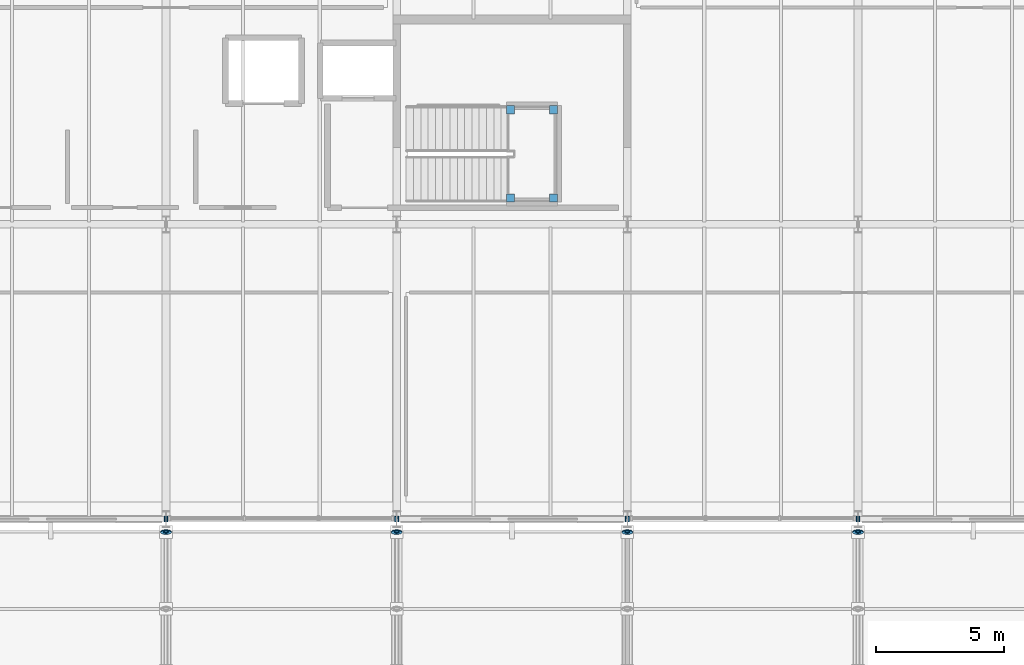
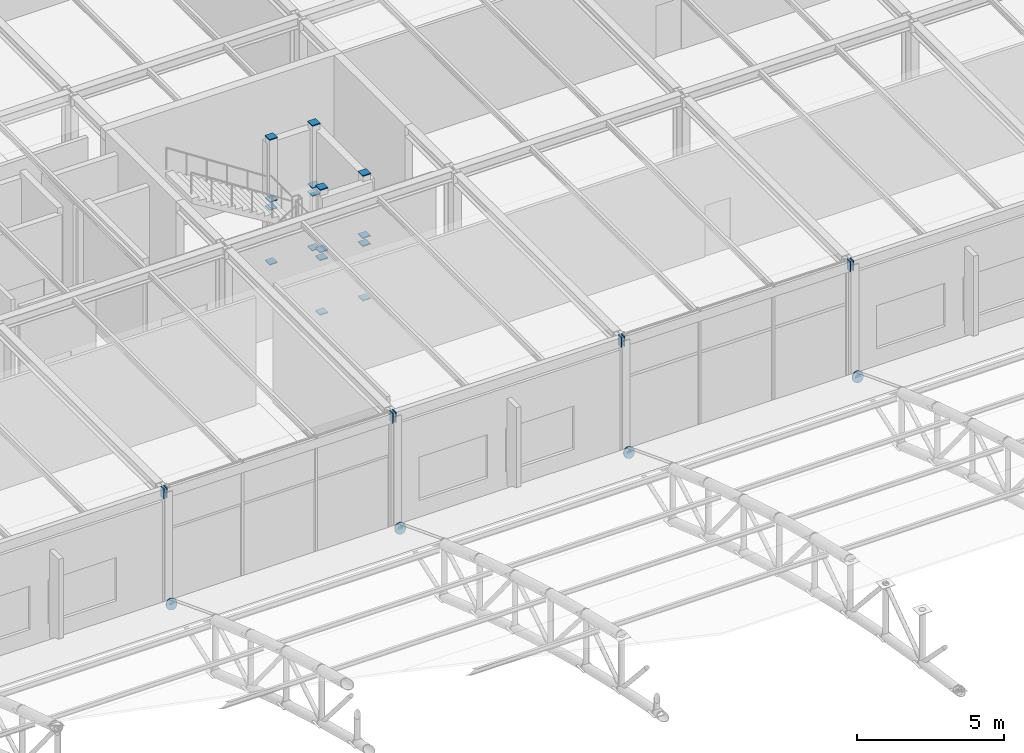
# One storey, part 139 of 195: 32 discrete accessories.
"""IFC4 building model written with IfcOpenShell, lengths in metres."""

from ifc_helpers import new_model, si_unit, direction, frame, origin, origin_2d, place, context, subcontext, project, spatial, rectangle, circle, extrude, material, element, save


model = new_model("IFC4")

# Units and contexts
model_context = context("Model", 3, precision=1e-05, world=origin(), true_north=direction((0.0, 1.0)))
body_context = subcontext(model_context, "Body", "Model", "MODEL_VIEW")
ifc_project = project(units=[si_unit("LENGTHUNIT", "METRE"), si_unit("AREAUNIT", "SQUARE_METRE"), si_unit("VOLUMEUNIT", "CUBIC_METRE"), si_unit("PLANEANGLEUNIT", "RADIAN"), si_unit("MASSUNIT", "GRAM", prefix="KILO")], contexts=[model_context])

# Site, building, storey
site_placement = place(None, origin())
site = spatial("IfcSite", under=ifc_project, at=site_placement, CompositionType="ELEMENT")
building_placement = place(site_placement, origin())
building = spatial("IfcBuilding", under=site, at=building_placement, Name="Marlcrest Central Station", CompositionType="ELEMENT")
storey_placement = place(building_placement, frame((0.0, 0.0, 9.800048828125)))
storey = spatial("IfcBuildingStorey", under=building, at=storey_placement, Name="L02", CompositionType="ELEMENT", Elevation=9.800048828125)

# Discrete accessories
ifc_material = material(Name="Steel S355", Category="steel")
for number, where, z_axis, x_axis, name in (
    (1, (35.925048828125, 99.0, 4.800048828125), (1.0, 0.0, 0.0), (0.0, 1.0, 0.0), "endcap-bm-SP-01-L02-00351-e"),
    (2, (36.03515625, 99.0, 4.800048828125), (1.0, 0.0, 0.0), (0.0, 1.0, 0.0), "endcap-bm-SP-01-L02-00352-s"),
    (3, (44.925048828125, 99.0, 4.800048828125), (1.0, 0.0, 0.0), (0.0, 1.0, 0.0), "endcap-bm-SP-01-L02-00352-e"),
    (4, (45.03515625, 99.0, 4.800048828125), (1.0, 0.0, 0.0), (0.0, 1.0, 0.0), "endcap-bm-SP-01-L02-00353-s"),
    (5, (53.925048828125, 99.0, 4.800048828125), (1.0, 0.0, 0.0), (0.0, 1.0, 0.0), "endcap-bm-SP-01-L02-00353-e"),
    (6, (54.03515625, 99.0, 4.800048828125), (1.0, 0.0, 0.0), (0.0, 1.0, 0.0), "endcap-bm-SP-01-L02-00354-s"),
    (7, (62.925048828125, 99.0, 4.800048828125), (1.0, 0.0, 0.0), (0.0, 1.0, 0.0), "endcap-bm-SP-01-L02-00354-e"),
    (8, (63.03515625, 99.0, 4.800048828125), (1.0, 0.0, 0.0), (0.0, 1.0, 0.0), "endcap-bm-SP-01-L02-00355-s"),
):
    element("IfcDiscreteAccessory", number, at=place(storey_placement, frame(where, z_axis=z_axis, x_axis=x_axis)), inside=storey, material=ifc_material, Name=name, ObjectType="END_CAP_PLATE", PredefinedType="BRACKET", context=body_context, shape_type="SweptSolid", body=[
        extrude(rectangle(XDim=0.216064453125, YDim=0.416015625, at=origin_2d()), origin(), (0.0, 0.0, 1.0), 0.0400390625),
    ])
discrete_accessory_1_placement = place(storey_placement, frame((36.0, 98.4765625, 0.454833984375), z_axis=(0.0, 0.933324071143, -0.359035065453), x_axis=(-1.0, 0.0, 0.0)))
element("IfcDiscreteAccessory", 9, at=discrete_accessory_1_placement, inside=storey, material=ifc_material, Name="endcap-mem-AC-01-L02-00623-e", ObjectType="END_CAP_PLATE", PredefinedType="BRACKET", context=body_context, shape_type="SweptSolid", body=[
    extrude(circle(Radius=0.211181640625, at=origin_2d()), origin(), (0.0, 0.0, 1.0), 0.0400390625),
])
discrete_accessory_2_placement = place(storey_placement, frame((36.0, 98.476318359375, 0.4375), z_axis=(0.0, 0.944260188635, 0.329200085296), x_axis=(-1.0, 0.0, 0.0)))
element("IfcDiscreteAccessory", 10, at=discrete_accessory_2_placement, inside=storey, material=ifc_material, Name="endcap-mem-AD-01-L02-00625-e", ObjectType="END_CAP_PLATE", PredefinedType="BRACKET", context=body_context, shape_type="SweptSolid", body=[
    extrude(circle(Radius=0.092041015625, at=origin_2d()), origin(), (0.0, 0.0, 1.0), 0.0400390625),
])
discrete_accessory_3_placement = place(storey_placement, frame((45.0, 98.4765625, 0.454833984375), z_axis=(0.0, 0.933324071143, -0.359035065453), x_axis=(-1.0, 0.0, 0.0)))
element("IfcDiscreteAccessory", 11, at=discrete_accessory_3_placement, inside=storey, material=ifc_material, Name="endcap-mem-AC-01-L02-00739-e", ObjectType="END_CAP_PLATE", PredefinedType="BRACKET", context=body_context, shape_type="SweptSolid", body=[
    extrude(circle(Radius=0.211181640625, at=origin_2d()), origin(), (0.0, 0.0, 1.0), 0.0400390625),
])
discrete_accessory_4_placement = place(storey_placement, frame((45.0, 98.476318359375, 0.4375), z_axis=(0.0, 0.944260188635, 0.329200085296), x_axis=(-1.0, 0.0, 0.0)))
element("IfcDiscreteAccessory", 12, at=discrete_accessory_4_placement, inside=storey, material=ifc_material, Name="endcap-mem-AD-01-L02-00741-e", ObjectType="END_CAP_PLATE", PredefinedType="BRACKET", context=body_context, shape_type="SweptSolid", body=[
    extrude(circle(Radius=0.092041015625, at=origin_2d()), origin(), (0.0, 0.0, 1.0), 0.0400390625),
])
discrete_accessory_5_placement = place(storey_placement, frame((54.0, 98.4765625, 0.454833984375), z_axis=(0.0, 0.933324071143, -0.359035065453), x_axis=(-1.0, 0.0, 0.0)))
element("IfcDiscreteAccessory", 13, at=discrete_accessory_5_placement, inside=storey, material=ifc_material, Name="endcap-mem-AC-01-L02-00855-e", ObjectType="END_CAP_PLATE", PredefinedType="BRACKET", context=body_context, shape_type="SweptSolid", body=[
    extrude(circle(Radius=0.211181640625, at=origin_2d()), origin(), (0.0, 0.0, 1.0), 0.0400390625),
])
discrete_accessory_6_placement = place(storey_placement, frame((54.0, 98.476318359375, 0.4375), z_axis=(0.0, 0.944260188635, 0.329200085296), x_axis=(-1.0, 0.0, 0.0)))
element("IfcDiscreteAccessory", 14, at=discrete_accessory_6_placement, inside=storey, material=ifc_material, Name="endcap-mem-AD-01-L02-00857-e", ObjectType="END_CAP_PLATE", PredefinedType="BRACKET", context=body_context, shape_type="SweptSolid", body=[
    extrude(circle(Radius=0.092041015625, at=origin_2d()), origin(), (0.0, 0.0, 1.0), 0.0400390625),
])
discrete_accessory_7_placement = place(storey_placement, frame((63.0, 98.4765625, 0.454833984375), z_axis=(0.0, 0.933324071143, -0.359035065453), x_axis=(-1.0, 0.0, 0.0)))
element("IfcDiscreteAccessory", 15, at=discrete_accessory_7_placement, inside=storey, material=ifc_material, Name="endcap-mem-AC-01-L02-00971-e", ObjectType="END_CAP_PLATE", PredefinedType="BRACKET", context=body_context, shape_type="SweptSolid", body=[
    extrude(circle(Radius=0.211181640625, at=origin_2d()), origin(), (0.0, 0.0, 1.0), 0.0400390625),
])
discrete_accessory_8_placement = place(storey_placement, frame((63.0, 98.476318359375, 0.4375), z_axis=(0.0, 0.944260188635, 0.329200085296), x_axis=(-1.0, 0.0, 0.0)))
element("IfcDiscreteAccessory", 16, at=discrete_accessory_8_placement, inside=storey, material=ifc_material, Name="endcap-mem-AD-01-L02-00973-e", ObjectType="END_CAP_PLATE", PredefinedType="BRACKET", context=body_context, shape_type="SweptSolid", body=[
    extrude(circle(Radius=0.092041015625, at=origin_2d()), origin(), (0.0, 0.0, 1.0), 0.0400390625),
])
for number, where, z_axis, x_axis, name in (
    (17, (49.43994140625, 111.530029296875, -0.014892578125), (0.0, 0.0, 1.0), (1.0, 0.0, 0.0), "endcap-htcol-lo-0049-0-s"),
    (18, (49.43994140625, 111.530029296875, 2.255126953125), (0.0, 0.0, 1.0), (1.0, 0.0, 0.0), "endcap-htcol-lo-0049-0-e"),
    (19, (49.43994140625, 111.530029296875, 2.5849609375), (0.0, 0.0, 1.0), (1.0, 0.0, 0.0), "endcap-htcol-hi-0049-0-s"),
    (20, (49.43994140625, 111.530029296875, 5.175048828125), (0.0, 0.0, 1.0), (1.0, 0.0, 0.0), "endcap-htcol-hi-0049-0-e"),
    (21, (51.1201171875, 111.530029296875, -0.014892578125), (0.0, 0.0, 1.0), (1.0, 0.0, 0.0), "endcap-htcol-lo-0049-1-s"),
    (22, (51.1201171875, 111.530029296875, 2.255126953125), (0.0, 0.0, 1.0), (1.0, 0.0, 0.0), "endcap-htcol-lo-0049-1-e"),
    (23, (51.1201171875, 111.530029296875, 2.5849609375), (0.0, 0.0, 1.0), (1.0, 0.0, 0.0), "endcap-htcol-hi-0049-1-s"),
    (24, (51.1201171875, 111.530029296875, 5.175048828125), (0.0, 0.0, 1.0), (1.0, 0.0, 0.0), "endcap-htcol-hi-0049-1-e"),
    (25, (51.1201171875, 114.969970703125, -0.014892578125), (0.0, 0.0, 1.0), (1.0, 0.0, 0.0), "endcap-htcol-lo-0049-2-s"),
    (26, (51.1201171875, 114.969970703125, 2.255126953125), (0.0, 0.0, 1.0), (1.0, 0.0, 0.0), "endcap-htcol-lo-0049-2-e"),
    (27, (51.1201171875, 114.969970703125, 2.5849609375), (0.0, 0.0, 1.0), (1.0, 0.0, 0.0), "endcap-htcol-hi-0049-2-s"),
    (28, (51.1201171875, 114.969970703125, 5.175048828125), (0.0, 0.0, 1.0), (1.0, 0.0, 0.0), "endcap-htcol-hi-0049-2-e"),
    (29, (49.43994140625, 114.969970703125, -0.014892578125), (0.0, 0.0, 1.0), (1.0, 0.0, 0.0), "endcap-htcol-lo-0049-3-s"),
    (30, (49.43994140625, 114.969970703125, 2.255126953125), (0.0, 0.0, 1.0), (1.0, 0.0, 0.0), "endcap-htcol-lo-0049-3-e"),
    (31, (49.43994140625, 114.969970703125, 2.5849609375), (0.0, 0.0, 1.0), (1.0, 0.0, 0.0), "endcap-htcol-hi-0049-3-s"),
    (32, (49.43994140625, 114.969970703125, 5.175048828125), (0.0, 0.0, 1.0), (1.0, 0.0, 0.0), "endcap-htcol-hi-0049-3-e"),
):
    element("IfcDiscreteAccessory", number, at=place(storey_placement, frame(where, z_axis=z_axis, x_axis=x_axis)), inside=storey, material=ifc_material, Name=name, ObjectType="END_CAP_PLATE", PredefinedType="BRACKET", context=body_context, shape_type="SweptSolid", body=[
        extrude(rectangle(XDim=0.31591796875, YDim=0.31591796875, at=origin_2d()), origin(), (0.0, 0.0, 1.0), 0.0400390625),
    ])

save(model, "model.ifc")
